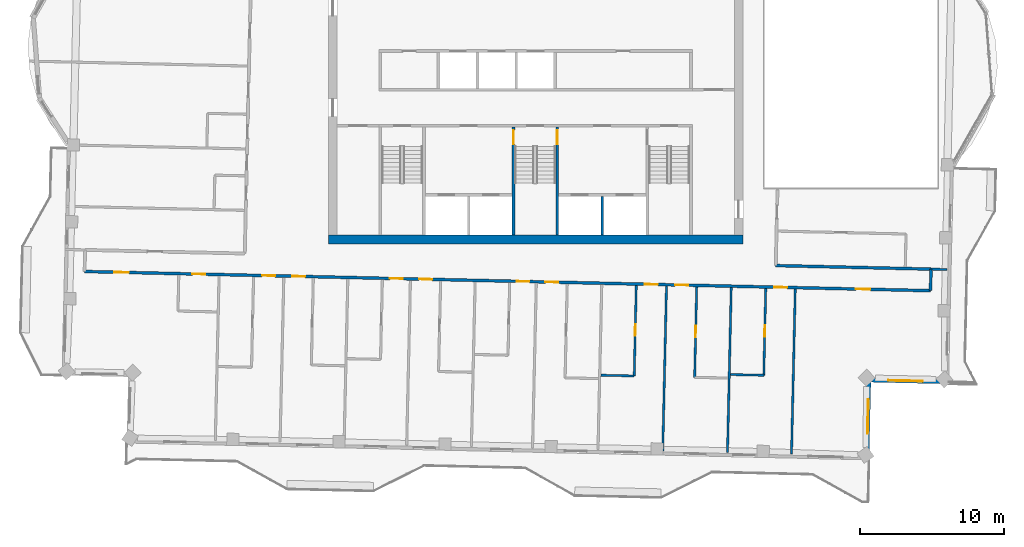
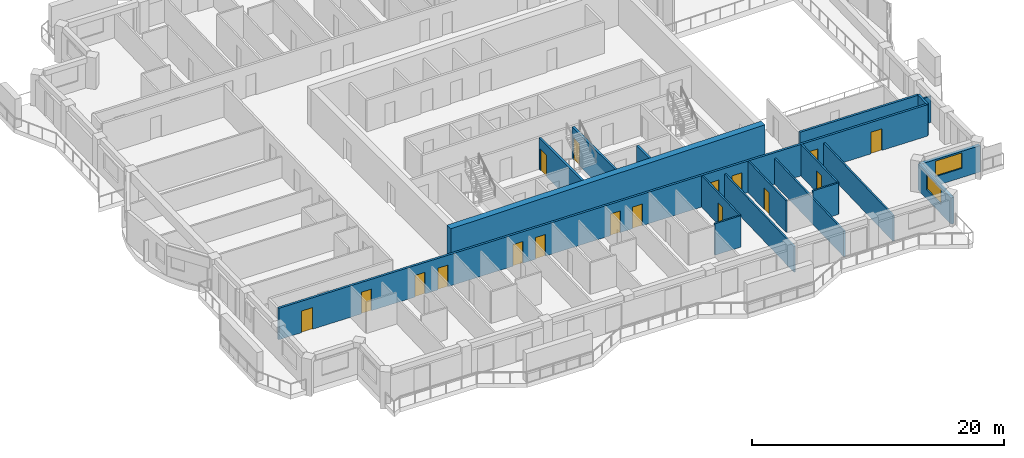
# One storey, part 6 of 15: 18 walls, 17 doors, 2 windows, 19 openings.
"""IFC4 building model written with IfcOpenShell, lengths in metres."""

from ifc_helpers import new_model, si_unit, direction, frame, frame_2d, origin, place, context, subcontext, project, spatial, rectangle, extrude, material, layer, layer_set, type_object, element, fill, save


model = new_model("IFC4")

# Units and contexts
model_context = context("Model", 3, precision=1e-05, world=origin(), true_north=direction((0.0, 1.0)))
body_context = subcontext(model_context, "Body", "Model", "MODEL_VIEW")
ifc_project = project(units=[si_unit("LENGTHUNIT", "METRE"), si_unit("AREAUNIT", "SQUARE_METRE"), si_unit("VOLUMEUNIT", "CUBIC_METRE"), si_unit("PLANEANGLEUNIT", "RADIAN"), si_unit("MASSUNIT", "GRAM", prefix="KILO")], contexts=[model_context])

# Site, building, storey
site_placement = place(None, origin())
site = spatial("IfcSite", under=ifc_project, at=site_placement, CompositionType="ELEMENT")
building_placement = place(site_placement, origin())
building = spatial("IfcBuilding", under=site, at=building_placement, Name="Mangrove Gate Tower", CompositionType="ELEMENT")
storey_placement = place(building_placement, frame((0.0, 0.0, 320.5)))
storey = spatial("IfcBuildingStorey", under=building, at=storey_placement, Name="L82", CompositionType="ELEMENT", Elevation=320.5)

# Wall
ifc_material_1 = material(Name="Concrete C50/60", Category="concrete")
ifc_layer_1 = layer(ifc_material_1, 0.199951171875)
ifc_layer_set_1 = layer_set([ifc_layer_1], Name="Core shaft wall 200 C50/60")
wall_type_1 = type_object("IfcWallType", Name="Core shaft wall 200 C50/60", PredefinedType="SHEAR", material=ifc_layer_set_1)
wall_1_placement = place(storey_placement, frame((4.625, -10.800048828125, 0.0), z_axis=(0.0, 0.0, 1.0), x_axis=(0.0, 1.0, 0.0)))
element("IfcWall", 1, at=wall_1_placement, inside=storey, type_object=wall_type_1, Name="WALL-L82-CORE-18", PredefinedType="SHEAR", context=body_context, shape_type="SweptSolid", body=[
    extrude(rectangle(XDim=2.699951171875, YDim=0.199951171875, at=frame_2d((1.35009765625, 0.0))), origin(), (0.0, 0.0, 1.0), 3.050048828125),
])

# Wall, opening, door
ifc_material_2 = material(Name="Concrete C50/60", Category="concrete")
ifc_layer_2 = layer(ifc_material_2, 0.199951171875)
ifc_layer_set_2 = layer_set([ifc_layer_2], Name="Core stair wall 200 C50/60")
wall_type_2 = type_object("IfcWallType", Name="Core stair wall 200 C50/60", PredefinedType="SHEAR", material=ifc_layer_set_2)
wall_2_placement = place(storey_placement, frame((-1.550048828125, -10.800048828125, 0.0), z_axis=(0.0, 0.0, 1.0), x_axis=(0.0, 1.0, 0.0)))
wall_2 = element("IfcWall", 2, at=wall_2_placement, inside=storey, type_object=wall_type_2, Name="WALL-L82-CORE-11", PredefinedType="SHEAR", context=body_context, shape_type="SweptSolid", body=[
    extrude(rectangle(XDim=7.5, YDim=0.199951171875, at=frame_2d((3.75, 0.0))), origin(), (0.0, 0.0, 1.0), 3.050048828125),
])
opening_1_placement = place(wall_2_placement, frame((6.300048828125, 0.0, 0.0)))
opening_1 = element("IfcOpeningElement", 3, at=opening_1_placement, cuts=wall_2, Name="Opening STD10", PredefinedType="OPENING", context=body_context, shape_type="SweptSolid", body=[
    extrude(rectangle(XDim=1.0, YDim=2.10009765625, at=frame_2d((0.5, 1.050048828125))), frame((0.0, 0.10986328125, 0.0), z_axis=(0.0, -1.0, 0.0), x_axis=(1.0, 0.0, 0.0)), (0.0, 0.0, 1.0), 0.219970703125),
])
ifc_material_3 = material(Name="Fire-rated steel door set", Category="steel")
door_type_1 = type_object("IfcDoorType", Name="Stair door FD60 1000x2100", OperationType="SINGLE_SWING_RIGHT", PredefinedType="DOOR", material=ifc_material_3)
door_1_placement = place(opening_1_placement, origin())
door_1 = element("IfcDoor", 4, at=door_1_placement, inside=storey, type_object=door_type_1, Name="Stair door Stair 2 from service lobby", OperationType="SINGLE_SWING_RIGHT", OverallHeight=2.10009765625, OverallWidth=1.0, PredefinedType="DOOR", context=body_context, shape_type="SweptSolid", body=[
    extrude(rectangle(XDim=1.0, YDim=2.10009765625, at=frame_2d((0.5, 1.050048828125))), frame((0.0, 0.02490234375, 0.0), z_axis=(0.0, -1.0, 0.0), x_axis=(1.0, 0.0, 0.0)), (0.0, 0.0, 1.0), 0.050048828125),
])
fill(opening_1, door_1)

wall_3_placement = place(storey_placement, frame((1.5, -10.800048828125, 0.0), z_axis=(0.0, 0.0, 1.0), x_axis=(0.0, 1.0, 0.0)))
wall_3 = element("IfcWall", 5, at=wall_3_placement, inside=storey, type_object=wall_type_2, Name="WALL-L82-CORE-12", PredefinedType="SHEAR", context=body_context, shape_type="SweptSolid", body=[
    extrude(rectangle(XDim=7.5, YDim=0.199951171875, at=frame_2d((3.75, 0.0))), origin(), (0.0, 0.0, 1.0), 3.050048828125),
])
opening_2_placement = place(wall_3_placement, frame((6.300048828125, 0.0, 0.0)))
opening_2 = element("IfcOpeningElement", 6, at=opening_2_placement, cuts=wall_3, Name="Opening STD10", PredefinedType="OPENING", context=body_context, shape_type="SweptSolid", body=[
    extrude(rectangle(XDim=1.0, YDim=2.10009765625, at=frame_2d((0.5, 1.050048828125))), frame((0.0, 0.10986328125, 0.0), z_axis=(0.0, -1.0, 0.0), x_axis=(1.0, 0.0, 0.0)), (0.0, 0.0, 1.0), 0.219970703125),
])
door_2_placement = place(opening_2_placement, origin())
door_2 = element("IfcDoor", 7, at=door_2_placement, inside=storey, type_object=door_type_1, Name="Stair door Stair 2 from fire-fighting lobby", OperationType="SINGLE_SWING_RIGHT", OverallHeight=2.10009765625, OverallWidth=1.0, PredefinedType="DOOR", context=body_context, shape_type="SweptSolid", body=[
    extrude(rectangle(XDim=1.0, YDim=2.10009765625, at=frame_2d((0.5, 1.050048828125))), frame((0.0, 0.02490234375, 0.0), z_axis=(0.0, -1.0, 0.0), x_axis=(1.0, 0.0, 0.0)), (0.0, 0.0, 1.0), 0.050048828125),
])
fill(opening_2, door_2)

# Wall
ifc_material_4 = material(Name="Concrete C50/60", Category="concrete")
ifc_layer_3 = layer(ifc_material_4, 0.60009765625)
ifc_layer_set_3 = layer_set([ifc_layer_3], Name="Core wall 600 C50/60")
wall_type_3 = type_object("IfcWallType", Name="Core wall 600 C50/60", PredefinedType="SHEAR", material=ifc_layer_set_3)
wall_4_placement = place(storey_placement, frame((-14.39990234375, -11.10009765625, 0.0), z_axis=(0.0, 0.0, 1.0), x_axis=(1.0, 0.0, 0.0)))
element("IfcWall", 8, at=wall_4_placement, inside=storey, type_object=wall_type_3, Name="WALL-L82-CORE-1", PredefinedType="SHEAR", context=body_context, shape_type="SweptSolid", body=[
    extrude(rectangle(XDim=28.7998046875, YDim=0.60009765625, at=frame_2d((14.39990234375, 0.0))), origin(), (0.0, 0.0, 1.0), 3.60009765625),
])

# Wall, openings, doors
ifc_material_5 = material(Name="Gypsum board on steel stud, EI 60", Category="steel")
ifc_layer_4 = layer(ifc_material_5, 0.199951171875)
ifc_layer_set_4 = layer_set([ifc_layer_4], Name="Corridor wall EI 60")
wall_type_4 = type_object("IfcWallType", Name="Corridor wall EI 60", PredefinedType="PARTITIONING", material=ifc_layer_set_4)
wall_5_placement = place(storey_placement, frame((-31.346923828125, -13.3291015625, 0.0), z_axis=(0.0, 0.0, 1.0), x_axis=(0.999742613079, -0.022687168058, 0.0)))
wall_5 = element("IfcWall", 9, at=wall_5_placement, inside=storey, type_object=wall_type_4, Name="WALL-L82-031", PredefinedType="PARTITIONING", context=body_context, shape_type="SweptSolid", body=[
    extrude(rectangle(XDim=58.799072265625, YDim=0.199951171875, at=frame_2d((29.3994140625, 0.0))), origin(), (0.0, 0.0, 1.0), 3.050048828125),
])
opening_3_placement = place(wall_5_placement, frame((2.074951171875, 0.0, 0.0)))
opening_3 = element("IfcOpeningElement", 10, at=opening_3_placement, cuts=wall_5, Name="Opening AD", PredefinedType="OPENING", context=body_context, shape_type="SweptSolid", body=[
    extrude(rectangle(XDim=1.0, YDim=2.10009765625, at=frame_2d((0.5, 1.050048828125))), frame((0.0, 0.10986328125, 0.0), z_axis=(0.0, -1.0, 0.0), x_axis=(1.0, 0.0, 0.0)), (0.0, 0.0, 1.0), 0.219970703125),
])
opening_4_placement = place(wall_5_placement, frame((7.5, 0.0, 0.0)))
opening_4 = element("IfcOpeningElement", 11, at=opening_4_placement, cuts=wall_5, Name="Opening SD", PredefinedType="OPENING", context=body_context, shape_type="SweptSolid", body=[
    extrude(rectangle(XDim=0.89990234375, YDim=2.10009765625, at=frame_2d((0.449951171875, 1.050048828125))), frame((0.0, 0.10986328125, 0.0), z_axis=(0.0, -1.0, 0.0), x_axis=(1.0, 0.0, 0.0)), (0.0, 0.0, 1.0), 0.219970703125),
])
opening_5_placement = place(wall_5_placement, frame((12.35009765625, 0.0, 0.0)))
opening_5 = element("IfcOpeningElement", 12, at=opening_5_placement, cuts=wall_5, Name="Opening BD", PredefinedType="OPENING", context=body_context, shape_type="SweptSolid", body=[
    extrude(rectangle(XDim=0.89990234375, YDim=2.10009765625, at=frame_2d((0.449951171875, 1.050048828125))), frame((0.0, 0.10986328125, 0.0), z_axis=(0.0, -1.0, 0.0), x_axis=(1.0, 0.0, 0.0)), (0.0, 0.0, 1.0), 0.219970703125),
])
opening_6_placement = place(wall_5_placement, frame((14.425048828125, 0.0, 0.0)))
opening_6 = element("IfcOpeningElement", 13, at=opening_6_placement, cuts=wall_5, Name="Opening BD", PredefinedType="OPENING", context=body_context, shape_type="SweptSolid", body=[
    extrude(rectangle(XDim=0.89990234375, YDim=2.10009765625, at=frame_2d((0.449951171875, 1.050048828125))), frame((0.0, 0.10986328125, 0.0), z_axis=(0.0, -1.0, 0.0), x_axis=(1.0, 0.0, 0.0)), (0.0, 0.0, 1.0), 0.219970703125),
])
opening_7_placement = place(wall_5_placement, frame((21.22509765625, 0.0, 0.0)))
opening_7 = element("IfcOpeningElement", 14, at=opening_7_placement, cuts=wall_5, Name="Opening BD", PredefinedType="OPENING", context=body_context, shape_type="SweptSolid", body=[
    extrude(rectangle(XDim=0.89990234375, YDim=2.10009765625, at=frame_2d((0.449951171875, 1.050048828125))), frame((0.0, 0.10986328125, 0.0), z_axis=(0.0, -1.0, 0.0), x_axis=(1.0, 0.0, 0.0)), (0.0, 0.0, 1.0), 0.219970703125),
])
opening_8_placement = place(wall_5_placement, frame((23.25, 0.0, 0.0)))
opening_8 = element("IfcOpeningElement", 15, at=opening_8_placement, cuts=wall_5, Name="Opening BD", PredefinedType="OPENING", context=body_context, shape_type="SweptSolid", body=[
    extrude(rectangle(XDim=0.89990234375, YDim=2.10009765625, at=frame_2d((0.449951171875, 1.050048828125))), frame((0.0, 0.10986328125, 0.0), z_axis=(0.0, -1.0, 0.0), x_axis=(1.0, 0.0, 0.0)), (0.0, 0.0, 1.0), 0.219970703125),
])
opening_9_placement = place(wall_5_placement, frame((30.02490234375, 0.0, 0.0)))
opening_9 = element("IfcOpeningElement", 16, at=opening_9_placement, cuts=wall_5, Name="Opening BD", PredefinedType="OPENING", context=body_context, shape_type="SweptSolid", body=[
    extrude(rectangle(XDim=0.89990234375, YDim=2.10009765625, at=frame_2d((0.449951171875, 1.050048828125))), frame((0.0, 0.10986328125, 0.0), z_axis=(0.0, -1.0, 0.0), x_axis=(1.0, 0.0, 0.0)), (0.0, 0.0, 1.0), 0.219970703125),
])
opening_10_placement = place(wall_5_placement, frame((32.02490234375, 0.0, 0.0)))
opening_10 = element("IfcOpeningElement", 17, at=opening_10_placement, cuts=wall_5, Name="Opening BD", PredefinedType="OPENING", context=body_context, shape_type="SweptSolid", body=[
    extrude(rectangle(XDim=0.89990234375, YDim=2.10009765625, at=frame_2d((0.449951171875, 1.050048828125))), frame((0.0, 0.10986328125, 0.0), z_axis=(0.0, -1.0, 0.0), x_axis=(1.0, 0.0, 0.0)), (0.0, 0.0, 1.0), 0.219970703125),
])
opening_11_placement = place(wall_5_placement, frame((38.949951171875, 0.0, 0.0)))
opening_11 = element("IfcOpeningElement", 18, at=opening_11_placement, cuts=wall_5, Name="Opening BD", PredefinedType="OPENING", context=body_context, shape_type="SweptSolid", body=[
    extrude(rectangle(XDim=0.89990234375, YDim=2.10009765625, at=frame_2d((0.449951171875, 1.050048828125))), frame((0.0, 0.10986328125, 0.0), z_axis=(0.0, -1.0, 0.0), x_axis=(1.0, 0.0, 0.0)), (0.0, 0.0, 1.0), 0.219970703125),
])
opening_12_placement = place(wall_5_placement, frame((41.050048828125, 0.0, 0.0)))
opening_12 = element("IfcOpeningElement", 19, at=opening_12_placement, cuts=wall_5, Name="Opening BD", PredefinedType="OPENING", context=body_context, shape_type="SweptSolid", body=[
    extrude(rectangle(XDim=0.89990234375, YDim=2.10009765625, at=frame_2d((0.449951171875, 1.050048828125))), frame((0.0, 0.10986328125, 0.0), z_axis=(0.0, -1.0, 0.0), x_axis=(1.0, 0.0, 0.0)), (0.0, 0.0, 1.0), 0.219970703125),
])
opening_13_placement = place(wall_5_placement, frame((47.925048828125, 0.0, 0.0)))
opening_13 = element("IfcOpeningElement", 20, at=opening_13_placement, cuts=wall_5, Name="Opening BD", PredefinedType="OPENING", context=body_context, shape_type="SweptSolid", body=[
    extrude(rectangle(XDim=0.89990234375, YDim=2.10009765625, at=frame_2d((0.449951171875, 1.050048828125))), frame((0.0, 0.10986328125, 0.0), z_axis=(0.0, -1.0, 0.0), x_axis=(1.0, 0.0, 0.0)), (0.0, 0.0, 1.0), 0.219970703125),
])
opening_14_placement = place(wall_5_placement, frame((53.617919921875, 0.0, 0.0)))
opening_14 = element("IfcOpeningElement", 21, at=opening_14_placement, cuts=wall_5, Name="Opening AD", PredefinedType="OPENING", context=body_context, shape_type="SweptSolid", body=[
    extrude(rectangle(XDim=1.0, YDim=2.10009765625, at=frame_2d((0.5, 1.050048828125))), frame((0.0, 0.10986328125, 0.0), z_axis=(0.0, -1.0, 0.0), x_axis=(1.0, 0.0, 0.0)), (0.0, 0.0, 1.0), 0.219970703125),
])
ifc_material_6 = material(Name="Timber door leaf", Category="wood")
door_type_2 = type_object("IfcDoorType", Name="Amenity door 1000", OperationType="SINGLE_SWING_LEFT", PredefinedType="DOOR", material=ifc_material_6)
door_3_placement = place(opening_3_placement, origin())
door_3 = element("IfcDoor", 22, at=door_3_placement, inside=storey, type_object=door_type_2, Name="DOOR-L82-LNG-c1a", OperationType="SINGLE_SWING_LEFT", OverallHeight=2.10009765625, OverallWidth=1.0, PredefinedType="DOOR", context=body_context, shape_type="SweptSolid", body=[
    extrude(rectangle(XDim=1.0, YDim=2.10009765625, at=frame_2d((0.5, 1.050048828125))), frame((0.0, 0.02490234375, 0.0), z_axis=(0.0, -1.0, 0.0), x_axis=(1.0, 0.0, 0.0)), (0.0, 0.0, 1.0), 0.050048828125),
])
fill(opening_3, door_3)
door_4_placement = place(opening_14_placement, origin())
door_4 = element("IfcDoor", 23, at=door_4_placement, inside=storey, type_object=door_type_2, Name="DOOR-L82-LNG-c3a", OperationType="SINGLE_SWING_RIGHT", OverallHeight=2.10009765625, OverallWidth=1.0, PredefinedType="DOOR", context=body_context, shape_type="SweptSolid", body=[
    extrude(rectangle(XDim=1.0, YDim=2.10009765625, at=frame_2d((0.5, 1.050048828125))), frame((0.0, 0.02490234375, 0.0), z_axis=(0.0, -1.0, 0.0), x_axis=(1.0, 0.0, 0.0)), (0.0, 0.0, 1.0), 0.050048828125),
])
fill(opening_14, door_4)
ifc_material_7 = material(Name="Timber door leaf", Category="wood")
door_type_3 = type_object("IfcDoorType", Name="Bedroom door 900", OperationType="SINGLE_SWING_LEFT", PredefinedType="DOOR", material=ifc_material_7)
door_5_placement = place(opening_5_placement, origin())
door_5 = element("IfcDoor", 24, at=door_5_placement, inside=storey, type_object=door_type_3, Name="DOOR-L82-BED-c101", OperationType="SINGLE_SWING_LEFT", OverallHeight=2.10009765625, OverallWidth=0.89990234375, PredefinedType="DOOR", context=body_context, shape_type="SweptSolid", body=[
    extrude(rectangle(XDim=0.89990234375, YDim=2.10009765625, at=frame_2d((0.449951171875, 1.050048828125))), frame((0.0, 0.02490234375, 0.0), z_axis=(0.0, -1.0, 0.0), x_axis=(1.0, 0.0, 0.0)), (0.0, 0.0, 1.0), 0.050048828125),
])
fill(opening_5, door_5)
door_6_placement = place(opening_6_placement, origin())
door_6 = element("IfcDoor", 25, at=door_6_placement, inside=storey, type_object=door_type_3, Name="DOOR-L82-BED-c102", OperationType="SINGLE_SWING_RIGHT", OverallHeight=2.10009765625, OverallWidth=0.89990234375, PredefinedType="DOOR", context=body_context, shape_type="SweptSolid", body=[
    extrude(rectangle(XDim=0.89990234375, YDim=2.10009765625, at=frame_2d((0.449951171875, 1.050048828125))), frame((0.0, 0.02490234375, 0.0), z_axis=(0.0, -1.0, 0.0), x_axis=(1.0, 0.0, 0.0)), (0.0, 0.0, 1.0), 0.050048828125),
])
fill(opening_6, door_6)
door_7_placement = place(opening_7_placement, origin())
door_7 = element("IfcDoor", 26, at=door_7_placement, inside=storey, type_object=door_type_3, Name="DOOR-L82-BED-c103", OperationType="SINGLE_SWING_LEFT", OverallHeight=2.10009765625, OverallWidth=0.89990234375, PredefinedType="DOOR", context=body_context, shape_type="SweptSolid", body=[
    extrude(rectangle(XDim=0.89990234375, YDim=2.10009765625, at=frame_2d((0.449951171875, 1.050048828125))), frame((0.0, 0.02490234375, 0.0), z_axis=(0.0, -1.0, 0.0), x_axis=(1.0, 0.0, 0.0)), (0.0, 0.0, 1.0), 0.050048828125),
])
fill(opening_7, door_7)
door_8_placement = place(opening_8_placement, origin())
door_8 = element("IfcDoor", 27, at=door_8_placement, inside=storey, type_object=door_type_3, Name="DOOR-L82-BED-c104", OperationType="SINGLE_SWING_RIGHT", OverallHeight=2.10009765625, OverallWidth=0.89990234375, PredefinedType="DOOR", context=body_context, shape_type="SweptSolid", body=[
    extrude(rectangle(XDim=0.89990234375, YDim=2.10009765625, at=frame_2d((0.449951171875, 1.050048828125))), frame((0.0, 0.02490234375, 0.0), z_axis=(0.0, -1.0, 0.0), x_axis=(1.0, 0.0, 0.0)), (0.0, 0.0, 1.0), 0.050048828125),
])
fill(opening_8, door_8)
door_9_placement = place(opening_9_placement, origin())
door_9 = element("IfcDoor", 28, at=door_9_placement, inside=storey, type_object=door_type_3, Name="DOOR-L82-BED-c205", OperationType="SINGLE_SWING_LEFT", OverallHeight=2.10009765625, OverallWidth=0.89990234375, PredefinedType="DOOR", context=body_context, shape_type="SweptSolid", body=[
    extrude(rectangle(XDim=0.89990234375, YDim=2.10009765625, at=frame_2d((0.449951171875, 1.050048828125))), frame((0.0, 0.02490234375, 0.0), z_axis=(0.0, -1.0, 0.0), x_axis=(1.0, 0.0, 0.0)), (0.0, 0.0, 1.0), 0.050048828125),
])
fill(opening_9, door_9)
door_10_placement = place(opening_10_placement, origin())
door_10 = element("IfcDoor", 29, at=door_10_placement, inside=storey, type_object=door_type_3, Name="DOOR-L82-BED-c206", OperationType="SINGLE_SWING_RIGHT", OverallHeight=2.10009765625, OverallWidth=0.89990234375, PredefinedType="DOOR", context=body_context, shape_type="SweptSolid", body=[
    extrude(rectangle(XDim=0.89990234375, YDim=2.10009765625, at=frame_2d((0.449951171875, 1.050048828125))), frame((0.0, 0.02490234375, 0.0), z_axis=(0.0, -1.0, 0.0), x_axis=(1.0, 0.0, 0.0)), (0.0, 0.0, 1.0), 0.050048828125),
])
fill(opening_10, door_10)
door_11_placement = place(opening_11_placement, origin())
door_11 = element("IfcDoor", 30, at=door_11_placement, inside=storey, type_object=door_type_3, Name="DOOR-L82-BED-c207", OperationType="SINGLE_SWING_LEFT", OverallHeight=2.10009765625, OverallWidth=0.89990234375, PredefinedType="DOOR", context=body_context, shape_type="SweptSolid", body=[
    extrude(rectangle(XDim=0.89990234375, YDim=2.10009765625, at=frame_2d((0.449951171875, 1.050048828125))), frame((0.0, 0.02490234375, 0.0), z_axis=(0.0, -1.0, 0.0), x_axis=(1.0, 0.0, 0.0)), (0.0, 0.0, 1.0), 0.050048828125),
])
fill(opening_11, door_11)
door_12_placement = place(opening_12_placement, origin())
door_12 = element("IfcDoor", 31, at=door_12_placement, inside=storey, type_object=door_type_3, Name="DOOR-L82-BED-c208", OperationType="SINGLE_SWING_RIGHT", OverallHeight=2.10009765625, OverallWidth=0.89990234375, PredefinedType="DOOR", context=body_context, shape_type="SweptSolid", body=[
    extrude(rectangle(XDim=0.89990234375, YDim=2.10009765625, at=frame_2d((0.449951171875, 1.050048828125))), frame((0.0, 0.02490234375, 0.0), z_axis=(0.0, -1.0, 0.0), x_axis=(1.0, 0.0, 0.0)), (0.0, 0.0, 1.0), 0.050048828125),
])
fill(opening_12, door_12)
door_13_placement = place(opening_13_placement, origin())
door_13 = element("IfcDoor", 32, at=door_13_placement, inside=storey, type_object=door_type_3, Name="DOOR-L82-BED-c309", OperationType="SINGLE_SWING_LEFT", OverallHeight=2.10009765625, OverallWidth=0.89990234375, PredefinedType="DOOR", context=body_context, shape_type="SweptSolid", body=[
    extrude(rectangle(XDim=0.89990234375, YDim=2.10009765625, at=frame_2d((0.449951171875, 1.050048828125))), frame((0.0, 0.02490234375, 0.0), z_axis=(0.0, -1.0, 0.0), x_axis=(1.0, 0.0, 0.0)), (0.0, 0.0, 1.0), 0.050048828125),
])
fill(opening_13, door_13)
ifc_material_8 = material(Name="Timber door leaf", Category="wood")
door_type_4 = type_object("IfcDoorType", Name="Service room door 900", OperationType="SINGLE_SWING_LEFT", PredefinedType="DOOR", material=ifc_material_8)
door_14_placement = place(opening_4_placement, origin())
door_14 = element("IfcDoor", 33, at=door_14_placement, inside=storey, type_object=door_type_4, Name="DOOR-L82-LDY-c1a", OperationType="SINGLE_SWING_LEFT", OverallHeight=2.10009765625, OverallWidth=0.89990234375, PredefinedType="DOOR", context=body_context, shape_type="SweptSolid", body=[
    extrude(rectangle(XDim=0.89990234375, YDim=2.10009765625, at=frame_2d((0.449951171875, 1.050048828125))), frame((0.0, 0.02490234375, 0.0), z_axis=(0.0, -1.0, 0.0), x_axis=(1.0, 0.0, 0.0)), (0.0, 0.0, 1.0), 0.050048828125),
])
fill(opening_4, door_14)

# Walls
wall_6_placement = place(storey_placement, frame((27.43701171875, -14.6630859375, 0.0), z_axis=(0.0, 0.0, 1.0), x_axis=(0.022617910375, 0.999744182344, 0.0)))
element("IfcWall", 34, at=wall_6_placement, inside=storey, type_object=wall_type_4, Name="WALL-L82-033", PredefinedType="PARTITIONING", context=body_context, shape_type="SweptSolid", body=[
    extrude(rectangle(XDim=1.50048828125, YDim=0.199951171875, at=frame_2d((0.750244140625, 0.0))), origin(), (0.0, 0.0, 1.0), 3.050048828125),
])
wall_7_placement = place(storey_placement, frame((16.678955078125, -12.91796875, 0.0), z_axis=(0.0, 0.0, 1.0), x_axis=(0.999742162372, -0.022707020428, 0.0)))
element("IfcWall", 35, at=wall_7_placement, inside=storey, type_object=wall_type_4, Name="WALL-L82-037", PredefinedType="PARTITIONING", context=body_context, shape_type="SweptSolid", body=[
    extrude(rectangle(XDim=10.794677734375, YDim=0.199951171875, at=frame_2d((5.3974609375, 0.0))), origin(), (0.0, 0.0, 1.0), 3.050048828125),
])

# Wall, opening, window
ifc_material_9 = material(Name="Limestone", Category="masonry")
ifc_layer_5 = layer(ifc_material_9, 0.0400390625, Name="Limestone cladding")
ifc_material_10 = material(Name="Ventilated air gap")
ifc_layer_6 = layer(ifc_material_10, 0.0400390625, Name="Ventilated cavity")
ifc_material_11 = material(Name="Mineral wool insulation")
ifc_layer_7 = layer(ifc_material_11, 0.06005859375, Name="Insulation")
ifc_material_12 = material(Name="Breather membrane")
ifc_layer_8 = layer(ifc_material_12, 0.001953125, Name="Breather membrane")
ifc_material_13 = material(Name="Concrete C20/25 blockwork", Category="masonry")
ifc_layer_9 = layer(ifc_material_13, 0.14990234375, Name="Blockwork backing wall")
ifc_material_14 = material(Name="Gypsum plaster")
ifc_layer_10 = layer(ifc_material_14, 0.008056640625, Name="Internal plaster")
ifc_layer_set_5 = layer_set([ifc_layer_5, ifc_layer_6, ifc_layer_7, ifc_layer_8, ifc_layer_9, ifc_layer_10], Name="External wall 300 limestone cladding")
wall_type_5 = type_object("IfcWallType", Name="External wall 300 limestone cladding", PredefinedType="SOLIDWALL", material=ifc_layer_set_5)
wall_8_placement = place(storey_placement, frame((23.02294921875, -26.26611328125, 0.0), z_axis=(0.0, 0.0, 1.0), x_axis=(0.022784045517, 0.999740409941, 0.0)))
wall_8 = element("IfcWall", 36, at=wall_8_placement, inside=storey, type_object=wall_type_5, Name="WALL-L82-E14", PredefinedType="SOLIDWALL", context=body_context, shape_type="SweptSolid", body=[
    extrude(rectangle(XDim=5.400634765625, YDim=0.300048828125, at=frame_2d((2.7001953125, 0.0))), origin(), (0.0, 0.0, 1.0), 2.550048828125),
])
opening_15_placement = place(wall_8_placement, frame((1.66796875, 0.0, 0.89990234375)))
opening_15 = element("IfcOpeningElement", 37, at=opening_15_placement, cuts=wall_8, Name="Opening W2", PredefinedType="OPENING", context=body_context, shape_type="SweptSolid", body=[
    extrude(rectangle(XDim=2.39990234375, YDim=1.5, at=frame_2d((1.199951171875, 0.75))), frame((0.0, 0.159912109375, 0.0), z_axis=(0.0, -1.0, 0.0), x_axis=(1.0, 0.0, 0.0)), (0.0, 0.0, 1.0), 0.320068359375),
])
ifc_material_15 = material(Name="Aluminium frame with double-glazed low-e glass", Category="aluminium")
window_type = type_object("IfcWindowType", Name="Corner room window 2400x1500", PartitioningType="DOUBLE_PANEL_VERTICAL", PredefinedType="WINDOW", material=ifc_material_15)
window_1_placement = place(opening_15_placement, origin())
window_1 = element("IfcWindow", 38, at=window_1_placement, inside=storey, type_object=window_type, Name="WIN-L82-E14-1", OverallHeight=1.5, OverallWidth=2.39990234375, PartitioningType="DOUBLE_PANEL_VERTICAL", PredefinedType="WINDOW", context=body_context, shape_type="SweptSolid", body=[
    extrude(rectangle(XDim=2.39990234375, YDim=1.5, at=frame_2d((1.199951171875, 0.75))), frame((0.0, 0.030029296875, 0.0), z_axis=(0.0, -1.0, 0.0), x_axis=(1.0, 0.0, 0.0)), (0.0, 0.0, 1.0), 0.06005859375),
])
fill(opening_15, window_1)

wall_9_placement = place(storey_placement, frame((23.14599609375, -20.866943359375, 0.0), z_axis=(0.0, 0.0, 1.0), x_axis=(0.999740292565, -0.022789195272, 0.0)))
wall_9 = element("IfcWall", 39, at=wall_9_placement, inside=storey, type_object=wall_type_5, Name="WALL-L82-S15", PredefinedType="SOLIDWALL", context=body_context, shape_type="SweptSolid", body=[
    extrude(rectangle(XDim=5.3994140625, YDim=0.300048828125, at=frame_2d((2.69970703125, 0.0))), origin(), (0.0, 0.0, 1.0), 2.550048828125),
])
opening_16_placement = place(wall_9_placement, frame((1.35400390625, 0.0, 0.89990234375)))
opening_16 = element("IfcOpeningElement", 40, at=opening_16_placement, cuts=wall_9, Name="Opening W2", PredefinedType="OPENING", context=body_context, shape_type="SweptSolid", body=[
    extrude(rectangle(XDim=2.39990234375, YDim=1.5, at=frame_2d((1.199951171875, 0.75))), frame((0.0, 0.159912109375, 0.0), z_axis=(0.0, -1.0, 0.0), x_axis=(1.0, 0.0, 0.0)), (0.0, 0.0, 1.0), 0.320068359375),
])
window_2_placement = place(opening_16_placement, origin())
window_2 = element("IfcWindow", 41, at=window_2_placement, inside=storey, type_object=window_type, Name="WIN-L82-S15-1", OverallHeight=1.5, OverallWidth=2.39990234375, PartitioningType="DOUBLE_PANEL_VERTICAL", PredefinedType="WINDOW", context=body_context, shape_type="SweptSolid", body=[
    extrude(rectangle(XDim=2.39990234375, YDim=1.5, at=frame_2d((1.199951171875, 0.75))), frame((0.0, 0.030029296875, 0.0), z_axis=(0.0, -1.0, 0.0), x_axis=(1.0, 0.0, 0.0)), (0.0, 0.0, 1.0), 0.06005859375),
])
fill(opening_16, window_2)

# Walls
ifc_material_16 = material(Name="Gypsum board on steel stud, EI 60", Category="steel")
ifc_layer_11 = layer(ifc_material_16, 0.14990234375)
ifc_layer_set_6 = layer_set([ifc_layer_11], Name="Party wall 150 EI 60")
wall_type_6 = type_object("IfcWallType", Name="Party wall 150 EI 60", PredefinedType="PARTITIONING", material=ifc_layer_set_6)
for number, where, z_axis, x_axis, name in (
    (42, (8.830078125, -25.7939453125, 0.0), (0.0, 0.0, 1.0), (0.022708327922, 0.999742132674, 0.0), "WALL-L82-008"),
    (43, (13.3291015625, -25.89599609375, 0.0), (0.0, 0.0, 1.0), (0.022708327922, 0.999742132674, 0.0), "WALL-L82-009"),
    (44, (17.778076171875, -25.9970703125, 0.0), (0.0, 0.0, 1.0), (0.022708327922, 0.999742132674, 0.0), "WALL-L82-010"),
):
    element("IfcWall", number, at=place(storey_placement, frame(where, z_axis=z_axis, x_axis=x_axis)), inside=storey, type_object=wall_type_6, Name=name, PredefinedType="PARTITIONING", context=body_context, shape_type="SweptSolid", body=[
        extrude(rectangle(XDim=11.449951171875, YDim=0.14990234375, at=frame_2d((5.72509765625, 0.0))), origin(), (0.0, 0.0, 1.0), 2.5),
    ])
wall_10_placement = place(storey_placement, frame((4.52294921875, -20.534912109375, 0.0), z_axis=(0.0, 0.0, 1.0), x_axis=(0.999749954681, -0.022361308448, 0.0)))
element("IfcWall", 45, at=wall_10_placement, inside=storey, type_object=wall_type_6, Name="WALL-L82-017", PredefinedType="PARTITIONING", context=body_context, shape_type="SweptSolid", body=[
    extrude(rectangle(XDim=2.325439453125, YDim=0.14990234375, at=frame_2d((1.16259765625, 0.0))), origin(), (0.0, 0.0, 1.0), 3.050048828125),
])

# Wall, opening, door
wall_11_placement = place(storey_placement, frame((6.847900390625, -20.5869140625, 0.0), z_axis=(0.0, 0.0, 1.0), x_axis=(0.022591786368, 0.999744773024, 0.0)))
wall_11 = element("IfcWall", 46, at=wall_11_placement, inside=storey, type_object=wall_type_6, Name="WALL-L82-018", PredefinedType="PARTITIONING", context=body_context, shape_type="SweptSolid", body=[
    extrude(rectangle(XDim=6.28955078125, YDim=0.14990234375, at=frame_2d((3.144775390625, 0.0))), origin(), (0.0, 0.0, 1.0), 3.050048828125),
])
opening_17_placement = place(wall_11_placement, frame((2.794921875, 0.0, 0.0)))
opening_17 = element("IfcOpeningElement", 47, at=opening_17_placement, cuts=wall_11, Name="Opening ED", PredefinedType="OPENING", context=body_context, shape_type="SweptSolid", body=[
    extrude(rectangle(XDim=0.800048828125, YDim=2.10009765625, at=frame_2d((0.39990234375, 1.050048828125))), frame((0.0, 0.0849609375, 0.0), z_axis=(0.0, -1.0, 0.0), x_axis=(1.0, 0.0, 0.0)), (0.0, 0.0, 1.0), 0.169921875),
])
ifc_material_17 = material(Name="Timber door leaf", Category="wood")
door_type_5 = type_object("IfcDoorType", Name="En-suite door 800", OperationType="SINGLE_SWING_LEFT", PredefinedType="DOOR", material=ifc_material_17)
door_15_placement = place(opening_17_placement, origin())
door_15 = element("IfcDoor", 48, at=door_15_placement, inside=storey, type_object=door_type_5, Name="DOOR-L82-ENS-c207", OperationType="SINGLE_SWING_LEFT", OverallHeight=2.10009765625, OverallWidth=0.800048828125, PredefinedType="DOOR", context=body_context, shape_type="SweptSolid", body=[
    extrude(rectangle(XDim=0.800048828125, YDim=2.10009765625, at=frame_2d((0.39990234375, 1.050048828125))), frame((0.0, 0.02490234375, 0.0), z_axis=(0.0, -1.0, 0.0), x_axis=(1.0, 0.0, 0.0)), (0.0, 0.0, 1.0), 0.050048828125),
])
fill(opening_17, door_15)

wall_12_placement = place(storey_placement, frame((11.047119140625, -20.68310546875, 0.0), z_axis=(0.0, 0.0, 1.0), x_axis=(0.022548613331, 0.999745747696, 0.0)))
wall_12 = element("IfcWall", 49, at=wall_12_placement, inside=storey, type_object=wall_type_6, Name="WALL-L82-020", PredefinedType="PARTITIONING", context=body_context, shape_type="SweptSolid", body=[
    extrude(rectangle(XDim=6.290771484375, YDim=0.14990234375, at=frame_2d((3.1455078125, 0.0))), origin(), (0.0, 0.0, 1.0), 3.050048828125),
])
opening_18_placement = place(wall_12_placement, frame((2.794921875, 0.0, 0.0)))
opening_18 = element("IfcOpeningElement", 50, at=opening_18_placement, cuts=wall_12, Name="Opening ED", PredefinedType="OPENING", context=body_context, shape_type="SweptSolid", body=[
    extrude(rectangle(XDim=0.800048828125, YDim=2.10009765625, at=frame_2d((0.39990234375, 1.050048828125))), frame((0.0, 0.0849609375, 0.0), z_axis=(0.0, -1.0, 0.0), x_axis=(1.0, 0.0, 0.0)), (0.0, 0.0, 1.0), 0.169921875),
])
door_16_placement = place(opening_18_placement, origin())
door_16 = element("IfcDoor", 51, at=door_16_placement, inside=storey, type_object=door_type_5, Name="DOOR-L82-ENS-c208", OperationType="SINGLE_SWING_RIGHT", OverallHeight=2.10009765625, OverallWidth=0.800048828125, PredefinedType="DOOR", context=body_context, shape_type="SweptSolid", body=[
    extrude(rectangle(XDim=0.800048828125, YDim=2.10009765625, at=frame_2d((0.39990234375, 1.050048828125))), frame((0.0, 0.02490234375, 0.0), z_axis=(0.0, -1.0, 0.0), x_axis=(1.0, 0.0, 0.0)), (0.0, 0.0, 1.0), 0.050048828125),
])
fill(opening_18, door_16)

# Wall
wall_13_placement = place(storey_placement, frame((13.527099609375, -20.489013671875, 0.0), z_axis=(0.0, 0.0, 1.0), x_axis=(0.999740260747, -0.02279059109, 0.0)))
element("IfcWall", 52, at=wall_13_placement, inside=storey, type_object=wall_type_6, Name="WALL-L82-023", PredefinedType="PARTITIONING", context=body_context, shape_type="SweptSolid", body=[
    extrude(rectangle(XDim=2.324462890625, YDim=0.14990234375, at=frame_2d((1.162109375, 0.0))), origin(), (0.0, 0.0, 1.0), 3.050048828125),
])

# Wall, opening, door
wall_14_placement = place(storey_placement, frame((15.85107421875, -20.5419921875, 0.0), z_axis=(0.0, 0.0, 1.0), x_axis=(0.022673665014, 0.999742919412, 0.0)))
wall_14 = element("IfcWall", 53, at=wall_14_placement, inside=storey, type_object=wall_type_6, Name="WALL-L82-024", PredefinedType="PARTITIONING", context=body_context, shape_type="SweptSolid", body=[
    extrude(rectangle(XDim=6.04052734375, YDim=0.14990234375, at=frame_2d((3.020263671875, 0.0))), origin(), (0.0, 0.0, 1.0), 3.050048828125),
])
opening_19_placement = place(wall_14_placement, frame((2.669921875, 0.0, 0.0)))
opening_19 = element("IfcOpeningElement", 54, at=opening_19_placement, cuts=wall_14, Name="Opening ED", PredefinedType="OPENING", context=body_context, shape_type="SweptSolid", body=[
    extrude(rectangle(XDim=0.800048828125, YDim=2.10009765625, at=frame_2d((0.39990234375, 1.050048828125))), frame((0.0, 0.0849609375, 0.0), z_axis=(0.0, -1.0, 0.0), x_axis=(1.0, 0.0, 0.0)), (0.0, 0.0, 1.0), 0.169921875),
])
door_17_placement = place(opening_19_placement, origin())
door_17 = element("IfcDoor", 55, at=door_17_placement, inside=storey, type_object=door_type_5, Name="DOOR-L82-ENS-c309", OperationType="SINGLE_SWING_LEFT", OverallHeight=2.10009765625, OverallWidth=0.800048828125, PredefinedType="DOOR", context=body_context, shape_type="SweptSolid", body=[
    extrude(rectangle(XDim=0.800048828125, YDim=2.10009765625, at=frame_2d((0.39990234375, 1.050048828125))), frame((0.0, 0.02490234375, 0.0), z_axis=(0.0, -1.0, 0.0), x_axis=(1.0, 0.0, 0.0)), (0.0, 0.0, 1.0), 0.050048828125),
])
fill(opening_19, door_17)

# Wall
wall_15_placement = place(storey_placement, frame((27.467041015625, -13.1630859375, 0.0), z_axis=(0.0, 0.0, 1.0), x_axis=(0.999745701647, -0.022550654924, 0.0)))
element("IfcWall", 56, at=wall_15_placement, inside=storey, type_object=wall_type_6, Name="WALL-L82-040", PredefinedType="PARTITIONING", context=body_context, shape_type="SweptSolid", body=[
    extrude(rectangle(XDim=1.104248046875, YDim=0.14990234375, at=frame_2d((0.55224609375, 0.0))), origin(), (0.0, 0.0, 1.0), 2.550048828125),
])

save(model, "model.ifc")
